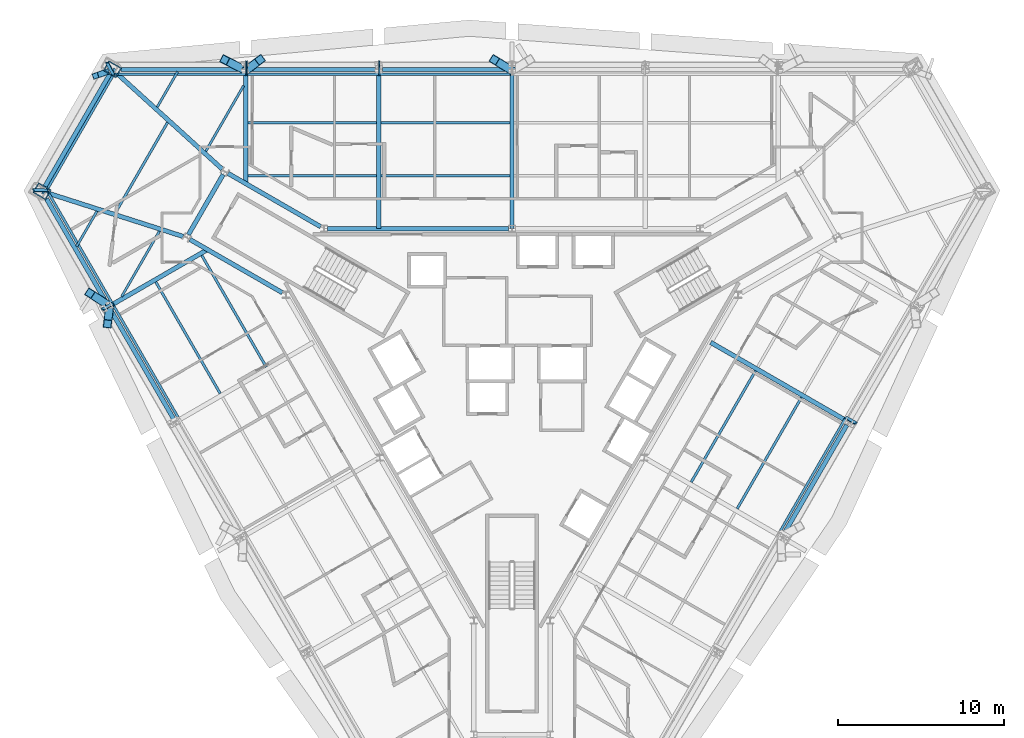
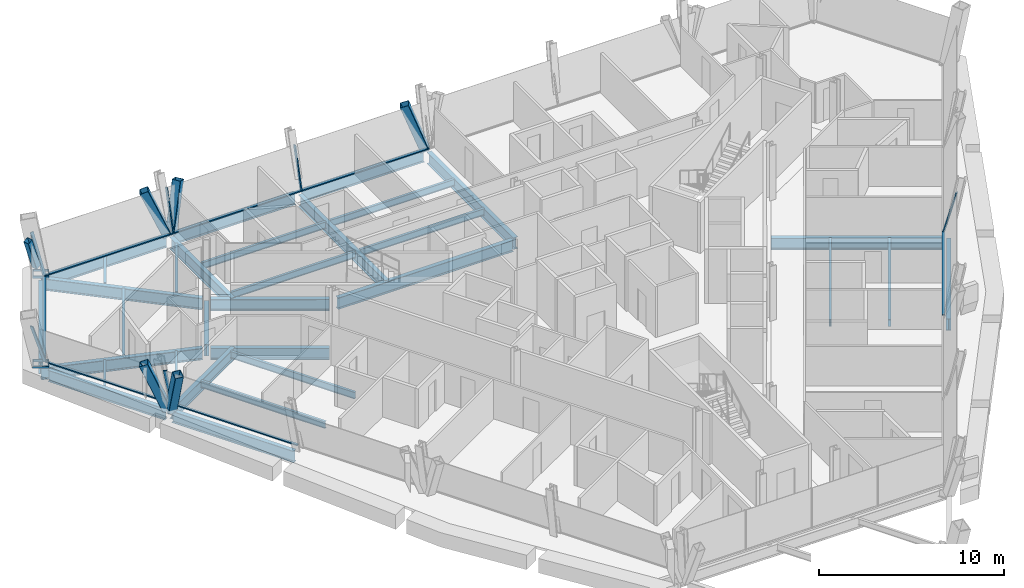
# One storey, part 6 of 15: 31 beams, 21 members, 4 elements without a shape of their own.
"""IFC4 building model written with IfcOpenShell, lengths in metres."""

from ifc_helpers import new_model, si_unit, direction, frame, origin, origin_2d, place, context, subcontext, project, spatial, rectangle, hollow_rectangle, i_section, extrude, material, material_profile, profile_set, type_object, element, aggregate, save


model = new_model("IFC4")

# Units and contexts
model_context = context("Model", 3, precision=1e-05, world=origin(), true_north=direction((0.0, 1.0)))
body_context = subcontext(model_context, "Body", "Model", "MODEL_VIEW")
ifc_project = project(units=[si_unit("LENGTHUNIT", "METRE"), si_unit("AREAUNIT", "SQUARE_METRE"), si_unit("VOLUMEUNIT", "CUBIC_METRE"), si_unit("PLANEANGLEUNIT", "RADIAN"), si_unit("MASSUNIT", "GRAM", prefix="KILO")], contexts=[model_context])

# Site, building, storey
site_placement = place(None, origin())
site = spatial("IfcSite", under=ifc_project, at=site_placement, CompositionType="ELEMENT")
building_placement = place(site_placement, origin())
building = spatial("IfcBuilding", under=site, at=building_placement, Name="Verrane Prism Tower", CompositionType="ELEMENT")
storey_placement = place(building_placement, frame((0.0, 0.0, 118.0)))
storey = spatial("IfcBuildingStorey", under=building, at=storey_placement, Name="L28", CompositionType="ELEMENT", Elevation=118.0)

# Member
ifc_material_1 = material(Name="Steel A500 Grade C", Category="steel")
ifc_material_profile_1 = material_profile(ifc_material_1, hollow_rectangle(XDim=0.355712890625, YDim=0.355712890625, WallThickness=0.0126953125, InnerFilletRadius=0.00634765625, OuterFilletRadius=0.01904296875, at=origin_2d()), Name="HSS14x14x1/2")
ifc_profile_set_1 = profile_set([ifc_material_profile_1], Name="Steel A500 Grade C")
member_type_1 = type_object("IfcMemberType", Name="Chamfer brace HSS14x14x1/2", PredefinedType="BRACE", material=ifc_profile_set_1)
member_1_placement = place(storey_placement, frame((-24.44677734375, 18.631103515625, 0.732666015625), z_axis=(-0.303029669445, -0.104587481994, 0.947224618581), x_axis=(0.326254109702, -0.945282103873, 0.0)))
element("IfcMember", 1, at=member_1_placement, inside=storey, type_object=member_type_1, Name="Chamfer brace NW0 L28", PredefinedType="BRACE", context=body_context, shape_type="SweptSolid", body=[
    extrude(hollow_rectangle(XDim=0.355712890625, YDim=0.355712890625, WallThickness=0.0126953125, InnerFilletRadius=0.00634765625, OuterFilletRadius=0.01904296875, at=origin_2d()), origin(), (0.0, 0.0, 1.0), 2.13818359375),
])

# Beams
ifc_material_2 = material(Name="Steel A992", Category="steel")
ifc_material_profile_2 = material_profile(ifc_material_2, i_section(OverallWidth=0.2666015625, OverallDepth=0.76708984375, WebThickness=0.014892578125, FlangeThickness=0.023681640625, FilletRadius=0.0166015625, at=origin_2d()), Name="W30x124")
ifc_profile_set_2 = profile_set([ifc_material_profile_2], Name="Steel A992")
beam_type_1 = type_object("IfcBeamType", Name="Chamfer spandrel beam W30x124", PredefinedType="SPANDREL", material=ifc_profile_set_2)
beam_1_placement = place(storey_placement, frame((-24.2451171875, 18.48681640625, -0.54345703125), z_axis=(-0.500214307011, -0.865901638214, 0.0), x_axis=(0.865901638214, -0.500214307011, 0.0)))
element("IfcBeam", 2, at=beam_1_placement, inside=storey, type_object=beam_type_1, Name="Chamfer spandrel beam L28", PredefinedType="SPANDREL", context=body_context, shape_type="SweptSolid", body=[
    extrude(i_section(OverallWidth=0.2666015625, OverallDepth=0.76708984375, WebThickness=0.014892578125, FlangeThickness=0.023681640625, FilletRadius=0.0166015625, at=origin_2d()), origin(), (0.0, 0.0, 1.0), 7.7763671875),
])
ifc_material_3 = material(Name="Steel A992", Category="steel")
ifc_material_profile_3 = material_profile(ifc_material_3, i_section(OverallWidth=0.2666015625, OverallDepth=0.7568359375, WebThickness=0.013916015625, FlangeThickness=0.019287109375, FilletRadius=0.0166015625, at=origin_2d()), Name="W30x108")
ifc_profile_set_3 = profile_set([ifc_material_profile_3], Name="Steel A992")
beam_type_2 = type_object("IfcBeamType", Name="Core ring girder W30x108", PredefinedType="BEAM", material=ifc_profile_set_3)
beam_2_placement = place(storey_placement, frame((-0.20068359375, 9.199951171875, -0.62841796875), z_axis=(-1.0, 0.0, 0.0), x_axis=(0.0, -1.0, 0.0)))
element("IfcBeam", 3, at=beam_2_placement, inside=storey, type_object=beam_type_2, Name="Core ring girder L28", PredefinedType="BEAM", context=body_context, shape_type="SweptSolid", body=[
    extrude(i_section(OverallWidth=0.2666015625, OverallDepth=0.7568359375, WebThickness=0.013916015625, FlangeThickness=0.019287109375, FilletRadius=0.0166015625, at=origin_2d()), origin(), (0.0, 0.0, 1.0), 10.9287109375),
])
beam_3_placement = place(storey_placement, frame((-11.53076171875, 9.315673828125, -0.62841796875), z_axis=(-0.866455532004, 0.499254254924, 0.0), x_axis=(-0.499254254924, -0.866455532004, 0.0)))
element("IfcBeam", 4, at=beam_3_placement, inside=storey, type_object=beam_type_2, Name="Core ring girder L28", PredefinedType="BEAM", context=body_context, shape_type="SweptSolid", body=[
    extrude(i_section(OverallWidth=0.2666015625, OverallDepth=0.7568359375, WebThickness=0.013916015625, FlangeThickness=0.019287109375, FilletRadius=0.0166015625, at=origin_2d()), origin(), (0.0, 0.0, 1.0), 6.441162109375),
])
beam_4_placement = place(storey_placement, frame((-17.40283203125, 12.4619140625, -0.62841796875), z_axis=(-0.500367003619, -0.865813410435, 0.0), x_axis=(0.865813410435, -0.500367003619, 0.0)))
element("IfcBeam", 5, at=beam_4_placement, inside=storey, type_object=beam_type_2, Name="Core ring girder L28", PredefinedType="BEAM", context=body_context, shape_type="SweptSolid", body=[
    extrude(i_section(OverallWidth=0.2666015625, OverallDepth=0.7568359375, WebThickness=0.013916015625, FlangeThickness=0.019287109375, FilletRadius=0.0166015625, at=origin_2d()), origin(), (0.0, 0.0, 1.0), 4.185302734375),
])
beam_5_placement = place(storey_placement, frame((-19.411865234375, 8.551513671875, -0.62841796875), z_axis=(0.866455532004, -0.499254254924, 0.0), x_axis=(0.499254254924, 0.866455532004, 0.0)))
element("IfcBeam", 6, at=beam_5_placement, inside=storey, type_object=beam_type_2, Name="Core ring girder L28", PredefinedType="BEAM", context=body_context, shape_type="SweptSolid", body=[
    extrude(i_section(OverallWidth=0.2666015625, OverallDepth=0.7568359375, WebThickness=0.013916015625, FlangeThickness=0.019287109375, FilletRadius=0.0166015625, at=origin_2d()), origin(), (0.0, 0.0, 1.0), 6.441162109375),
])
ifc_material_4 = material(Name="Steel A992", Category="steel")
ifc_material_profile_4 = material_profile(ifc_material_4, i_section(OverallWidth=0.2666015625, OverallDepth=0.76708984375, WebThickness=0.014892578125, FlangeThickness=0.023681640625, FilletRadius=0.0166015625, at=origin_2d()), Name="W30x124")
ifc_profile_set_4 = profile_set([ifc_material_profile_4], Name="Steel A992")
beam_type_3 = type_object("IfcBeamType", Name="Corner girder W30x124", PredefinedType="BEAM", material=ifc_profile_set_4)
beam_6_placement = place(storey_placement, frame((-24.068115234375, 18.788330078125, -0.603515625), z_axis=(0.740172818675, -0.67241668517, 0.0), x_axis=(0.67241668517, 0.740172818675, 0.0)))
element("IfcBeam", 7, at=beam_6_placement, inside=storey, type_object=beam_type_3, Name="Corner girder L28", PredefinedType="BEAM", context=body_context, shape_type="SweptSolid", body=[
    extrude(i_section(OverallWidth=0.2666015625, OverallDepth=0.76708984375, WebThickness=0.014892578125, FlangeThickness=0.023681640625, FilletRadius=0.0166015625, at=origin_2d()), origin(), (0.0, 0.0, 1.0), 8.921630859375),
])
beam_7_placement = place(storey_placement, frame((-28.3056640625, 11.448486328125, -0.603515625), z_axis=(0.952340206189, -0.305037918423, 0.0), x_axis=(0.305037918423, 0.952340206189, 0.0)))
element("IfcBeam", 8, at=beam_7_placement, inside=storey, type_object=beam_type_3, Name="Corner girder L28", PredefinedType="BEAM", context=body_context, shape_type="SweptSolid", body=[
    extrude(i_section(OverallWidth=0.2666015625, OverallDepth=0.76708984375, WebThickness=0.014892578125, FlangeThickness=0.023681640625, FilletRadius=0.0166015625, at=origin_2d()), origin(), (0.0, 0.0, 1.0), 8.919189453125),
])

# Members
ifc_material_5 = material(Name="Steel A1085 Grade A", Category="steel")
ifc_material_profile_5 = material_profile(ifc_material_5, hollow_rectangle(XDim=0.508056640625, YDim=0.508056640625, WallThickness=0.025390625, InnerFilletRadius=0.0126953125, OuterFilletRadius=0.0380859375, at=origin_2d()), Name="HSS20x20x1")
ifc_profile_set_5 = profile_set([ifc_material_profile_5], Name="Steel A1085 Grade A")
member_type_2 = type_object("IfcMemberType", Name="Facade brace HSS20x20x1", PredefinedType="BRACE", material=ifc_profile_set_5)
member_2_placement = place(storey_placement, frame((-0.110107421875, 18.7900390625, -0.197509765625), z_axis=(-0.302056863472, 0.183515537619, 0.935459084451), x_axis=(-0.519234190392, -0.854632000061, 0.0)))
element("IfcMember", 9, at=member_2_placement, inside=storey, type_object=member_type_2, Name="Facade brace N3 L28", PredefinedType="BRACE", context=body_context, shape_type="SweptSolid", body=[
    extrude(hollow_rectangle(XDim=0.508056640625, YDim=0.508056640625, WallThickness=0.025390625, InnerFilletRadius=0.0126953125, OuterFilletRadius=0.0380859375, at=origin_2d()), origin(), (0.0, 0.0, 1.0), 3.16748046875),
])
member_3_placement = place(storey_placement, frame((-15.951416015625, 18.7900390625, -0.197509765625), z_axis=(0.247465977731, 0.186519940797, 0.950773843535), x_axis=(-0.601899306778, 0.798571990807, 0.0)))
element("IfcMember", 10, at=member_3_placement, inside=storey, type_object=member_type_2, Name="Facade brace N4 L28", PredefinedType="BRACE", context=body_context, shape_type="SweptSolid", body=[
    extrude(hollow_rectangle(XDim=0.508056640625, YDim=0.508056640625, WallThickness=0.025390625, InnerFilletRadius=0.0126953125, OuterFilletRadius=0.0380859375, at=origin_2d()), origin(), (0.0, 0.0, 1.0), 3.116455078125),
])
member_4_placement = place(storey_placement, frame((-16.17138671875, 18.7900390625, -0.197509765625), z_axis=(-0.353566984918, 0.180073367078, 0.917912833359), x_axis=(-0.453834408523, -0.891086039415, 0.0)))
element("IfcMember", 11, at=member_4_placement, inside=storey, type_object=member_type_2, Name="Facade brace N5 L28", PredefinedType="BRACE", context=body_context, shape_type="SweptSolid", body=[
    extrude(hollow_rectangle(XDim=0.508056640625, YDim=0.508056640625, WallThickness=0.025390625, InnerFilletRadius=0.0126953125, OuterFilletRadius=0.0380859375, at=origin_2d()), origin(), (0.0, 0.0, 1.0), 3.22802734375),
])
member_5_placement = place(storey_placement, frame((-24.365478515625, 4.61328125, -0.197509765625), z_axis=(-0.332338228681, 0.215607546492, 0.918185540974), x_axis=(-0.544256493754, -0.838918869144, 0.0)))
element("IfcMember", 12, at=member_5_placement, inside=storey, type_object=member_type_2, Name="Facade brace SW0 L28", PredefinedType="BRACE", context=body_context, shape_type="SweptSolid", body=[
    extrude(hollow_rectangle(XDim=0.508056640625, YDim=0.508056640625, WallThickness=0.025390625, InnerFilletRadius=0.0126953125, OuterFilletRadius=0.0380859375, at=origin_2d()), origin(), (0.0, 0.0, 1.0), 3.22705078125),
])
member_6_placement = place(storey_placement, frame((-24.25537109375, 4.4228515625, -0.197509765625), z_axis=(-0.037356694679, -0.308408099886, 0.950520342385), x_axis=(0.992743816688, -0.120248552707, 0.0)))
element("IfcMember", 13, at=member_6_placement, inside=storey, type_object=member_type_2, Name="Facade brace SW1 L28", PredefinedType="BRACE", context=body_context, shape_type="SweptSolid", body=[
    extrude(hollow_rectangle(XDim=0.508056640625, YDim=0.508056640625, WallThickness=0.025390625, InnerFilletRadius=0.0126953125, OuterFilletRadius=0.0380859375, at=origin_2d()), origin(), (0.0, 0.0, 1.0), 3.117431640625),
])

# Beams
ifc_material_6 = material(Name="Steel A992", Category="steel")
ifc_material_profile_6 = material_profile(ifc_material_6, i_section(OverallWidth=0.140380859375, OverallDepth=0.40380859375, WebThickness=0.007080078125, FlangeThickness=0.01123046875, FilletRadius=0.01025390625, at=origin_2d()), Name="W16x31")
ifc_profile_set_6 = profile_set([ifc_material_profile_6], Name="Steel A992")
beam_type_4 = type_object("IfcBeamType", Name="Floor beam W16x31", PredefinedType="BEAM", material=ifc_profile_set_6)
beam_8_placement = place(storey_placement, frame((-18.4501953125, 13.864990234375, -0.36181640625), z_axis=(0.500008678503, 0.86602039319, 0.0), x_axis=(-0.86602039319, 0.500008678503, 0.0)))
element("IfcBeam", 14, at=beam_8_placement, inside=storey, type_object=beam_type_4, Name="Floor beam L28", PredefinedType="BEAM", context=body_context, shape_type="SweptSolid", body=[
    extrude(i_section(OverallWidth=0.140380859375, OverallDepth=0.40380859375, WebThickness=0.007080078125, FlangeThickness=0.01123046875, FilletRadius=0.01025390625, at=origin_2d()), origin(), (0.0, 0.0, 1.0), 4.55322265625),
])
beam_9_placement = place(storey_placement, frame((-21.37744140625, 16.5244140625, -0.36181640625), z_axis=(0.500000007376, 0.866025399526, 0.0), x_axis=(-0.866025399526, 0.500000007376, 0.0)))
element("IfcBeam", 15, at=beam_9_placement, inside=storey, type_object=beam_type_4, Name="Floor beam L28", PredefinedType="BEAM", context=body_context, shape_type="SweptSolid", body=[
    extrude(i_section(OverallWidth=0.140380859375, OverallDepth=0.40380859375, WebThickness=0.007080078125, FlangeThickness=0.01123046875, FilletRadius=0.01025390625, at=origin_2d()), origin(), (0.0, 0.0, 1.0), 2.4619140625),
])
beam_10_placement = place(storey_placement, frame((-23.5205078125, 5.104736328125, -0.36181640625), z_axis=(0.500004125498, 0.866023021914, 0.0), x_axis=(-0.866023021914, 0.500004125498, 0.0)))
element("IfcBeam", 16, at=beam_10_placement, inside=storey, type_object=beam_type_4, Name="Floor beam L28", PredefinedType="BEAM", context=body_context, shape_type="SweptSolid", body=[
    extrude(i_section(OverallWidth=0.140380859375, OverallDepth=0.40380859375, WebThickness=0.007080078125, FlangeThickness=0.01123046875, FilletRadius=0.01025390625, at=origin_2d()), origin(), (0.0, 0.0, 1.0), 4.5517578125),
])
beam_11_placement = place(storey_placement, frame((-26.23583984375, 8.122314453125, -0.36181640625), z_axis=(0.500026134388, 0.866010314562, 0.0), x_axis=(-0.866010314562, 0.500026134388, 0.0)))
element("IfcBeam", 17, at=beam_11_placement, inside=storey, type_object=beam_type_4, Name="Floor beam L28", PredefinedType="BEAM", context=body_context, shape_type="SweptSolid", body=[
    extrude(i_section(OverallWidth=0.140380859375, OverallDepth=0.40380859375, WebThickness=0.007080078125, FlangeThickness=0.01123046875, FilletRadius=0.01025390625, at=origin_2d()), origin(), (0.0, 0.0, 1.0), 2.458740234375),
])
ifc_material_7 = material(Name="Steel A992", Category="steel")
ifc_material_profile_7 = material_profile(ifc_material_7, i_section(OverallWidth=0.15234375, OverallDepth=0.449462890625, WebThickness=0.007568359375, FlangeThickness=0.0107421875, FilletRadius=0.01025390625, at=origin_2d()), Name="W18x35")
ifc_profile_set_7 = profile_set([ifc_material_profile_7], Name="Steel A992")
beam_type_5 = type_object("IfcBeamType", Name="Floor beam W18x35", PredefinedType="BEAM", material=ifc_profile_set_7)
for number, where, z_axis, x_axis, name in (
    (18, (-7.886474609375, 12.396728515625, -0.384765625), (1.0, 0.0, 0.0), (0.0, 1.0, 0.0), "Floor beam L28"),
    (19, (-7.886474609375, 15.59326171875, -0.384765625), (1.0, 0.0, 0.0), (0.0, 1.0, 0.0), "Floor beam L28"),
    (20, (-15.906494140625, 12.396728515625, -0.384765625), (1.0, 0.0, 0.0), (0.0, 1.0, 0.0), "Floor beam L28"),
    (21, (-15.906494140625, 15.59326171875, -0.384765625), (1.0, 0.0, 0.0), (0.0, 1.0, 0.0), "Floor beam L28"),
):
    element("IfcBeam", number, at=place(storey_placement, frame(where, z_axis=z_axis, x_axis=x_axis)), inside=storey, type_object=beam_type_5, Name=name, PredefinedType="BEAM", context=body_context, shape_type="SweptSolid", body=[
        extrude(i_section(OverallWidth=0.15234375, OverallDepth=0.449462890625, WebThickness=0.007568359375, FlangeThickness=0.0107421875, FilletRadius=0.01025390625, at=origin_2d()), origin(), (0.0, 0.0, 1.0), 7.7529296875),
    ])
beam_12_placement = place(storey_placement, frame((-14.80859375, 0.864501953125, -0.384765625), z_axis=(-0.500014594887, 0.866016977259, 0.0), x_axis=(-0.866016977259, -0.500014594887, 0.0)))
element("IfcBeam", 22, at=beam_12_placement, inside=storey, type_object=beam_type_5, Name="Floor beam L28", PredefinedType="BEAM", context=body_context, shape_type="SweptSolid", body=[
    extrude(i_section(OverallWidth=0.15234375, OverallDepth=0.449462890625, WebThickness=0.007568359375, FlangeThickness=0.0107421875, FilletRadius=0.01025390625, at=origin_2d()), origin(), (0.0, 0.0, 1.0), 7.764404296875),
])
beam_13_placement = place(storey_placement, frame((-17.58056640625, -0.736572265625, -0.384765625), z_axis=(-0.499974721637, 0.866039997762, 0.0), x_axis=(-0.866039997762, -0.499974721637, 0.0)))
element("IfcBeam", 23, at=beam_13_placement, inside=storey, type_object=beam_type_5, Name="Floor beam L28", PredefinedType="BEAM", context=body_context, shape_type="SweptSolid", body=[
    extrude(i_section(OverallWidth=0.15234375, OverallDepth=0.449462890625, WebThickness=0.007568359375, FlangeThickness=0.0107421875, FilletRadius=0.01025390625, at=origin_2d()), origin(), (0.0, 0.0, 1.0), 7.76318359375),
])
beam_14_placement = place(storey_placement, frame((13.568603515625, -7.6767578125, -0.384765625), z_axis=(0.499981532947, 0.86603606548, 0.0), x_axis=(-0.86603606548, 0.499981532947, 0.0)))
element("IfcBeam", 24, at=beam_14_placement, inside=storey, type_object=beam_type_5, Name="Floor beam L28", PredefinedType="BEAM", context=body_context, shape_type="SweptSolid", body=[
    extrude(i_section(OverallWidth=0.15234375, OverallDepth=0.449462890625, WebThickness=0.007568359375, FlangeThickness=0.0107421875, FilletRadius=0.01025390625, at=origin_2d()), origin(), (0.0, 0.0, 1.0), 7.749267578125),
])
beam_15_placement = place(storey_placement, frame((10.7978515625, -6.077880859375, -0.384765625), z_axis=(0.499984211786, 0.866034518922, 0.0), x_axis=(-0.866034518922, 0.499984211786, 0.0)))
element("IfcBeam", 25, at=beam_15_placement, inside=storey, type_object=beam_type_5, Name="Floor beam L28", PredefinedType="BEAM", context=body_context, shape_type="SweptSolid", body=[
    extrude(i_section(OverallWidth=0.15234375, OverallDepth=0.449462890625, WebThickness=0.007568359375, FlangeThickness=0.0107421875, FilletRadius=0.01025390625, at=origin_2d()), origin(), (0.0, 0.0, 1.0), 7.750732421875),
])
beam_16_placement = place(storey_placement, frame((-23.8857421875, 10.173095703125, -0.384765625), z_axis=(0.50001262068, 0.866018117109, 0.0), x_axis=(-0.866018117109, 0.50001262068, 0.0)))
element("IfcBeam", 26, at=beam_16_placement, inside=storey, type_object=beam_type_5, Name="Floor beam L28", PredefinedType="BEAM", context=body_context, shape_type="SweptSolid", body=[
    extrude(i_section(OverallWidth=0.15234375, OverallDepth=0.449462890625, WebThickness=0.007568359375, FlangeThickness=0.0107421875, FilletRadius=0.01025390625, at=origin_2d()), origin(), (0.0, 0.0, 1.0), 6.263427734375),
])

# Members
ifc_material_8 = material(Name="Steel A572 Grade 50", Category="steel")
ifc_material_profile_8 = material_profile(ifc_material_8, hollow_rectangle(XDim=0.699951171875, YDim=0.89990234375, WallThickness=0.06494140625, at=origin_2d()), Name="BOX 900x700x65")
ifc_profile_set_8 = profile_set([ifc_material_profile_8], Name="Steel A572 Grade 50")
member_type_3 = type_object("IfcMemberType", Name="Kink node BOX 900x700x65", PredefinedType="COLLAR", material=ifc_profile_set_8)
for number, where, z_axis, x_axis, name in (
    (27, (-24.07421875, 18.79736328125, -0.074951171875), (0.0, 0.0, 1.0), (0.5, 0.866025403784, 0.0), "Kink node MC3 L28"),
    (28, (-28.318359375, 11.449951171875, -0.074951171875), (0.0, 0.0, 1.0), (0.5, 0.866025403784, 0.0), "Kink node MC3 L28"),
):
    element("IfcMember", number, at=place(storey_placement, frame(where, z_axis=z_axis, x_axis=x_axis)), inside=storey, type_object=member_type_3, Name=name, PredefinedType="COLLAR", context=body_context, shape_type="SweptSolid", body=[
        extrude(hollow_rectangle(XDim=0.699951171875, YDim=0.89990234375, WallThickness=0.06494140625, at=origin_2d()), origin(), (0.0, 0.0, 1.0), 0.14990234375),
    ])

# Curtain wall, members
ifc_material_9 = material(Name="Aluminium framed insulated glazing", Category="aluminium")
curtain_wall_type = type_object("IfcCurtainWallType", Name="Curtain wall CW-A 8400 module", PredefinedType="NOTDEFINED", material=ifc_material_9)
curtain_wall_1_placement = place(storey_placement, origin())
curtain_wall_1 = element("IfcCurtainWall", 29, at=curtain_wall_1_placement, inside=storey, type_object=curtain_wall_type, Name="Glazed curtain wall north face L28", PredefinedType="NOTDEFINED")
ifc_material_10 = material(Name="Aluminium alloy 6063-T6", Category="aluminium")
ifc_material_profile_9 = material_profile(ifc_material_10, rectangle(XDim=0.199951171875, YDim=0.070068359375, at=origin_2d()), Name="Mullion 70x200 aluminium")
ifc_profile_set_9 = profile_set([ifc_material_profile_9], Name="Aluminium alloy 6063-T6")
member_type_4 = type_object("IfcMemberType", Name="Mullion 70x200 aluminium", PredefinedType="MULLION", material=ifc_profile_set_9)
member_7_placement = place(storey_placement, frame((-7.998046875, 18.510986328125, 0.0), z_axis=(0.0, 0.25876916976, 0.965939188967), x_axis=(0.0, 0.965939188967, -0.25876916976)))
member_7 = element("IfcMember", 30, at=member_7_placement, type_object=member_type_4, Name="CW27.2 mullion 5", PredefinedType="MULLION", context=body_context, shape_type="SweptSolid", body=[
    extrude(rectangle(XDim=0.199951171875, YDim=0.070068359375, at=origin_2d()), origin(), (0.0, 0.0, 1.0), 2.704833984375),
])
member_8_placement = place(storey_placement, frame((-15.99609375, 18.510986328125, 0.0), z_axis=(0.0, 0.25876916976, 0.965939188967), x_axis=(0.0, 0.965939188967, -0.25876916976)))
member_8 = element("IfcMember", 31, at=member_8_placement, type_object=member_type_4, Name="CW27.2 mullion 6", PredefinedType="MULLION", context=body_context, shape_type="SweptSolid", body=[
    extrude(rectangle(XDim=0.199951171875, YDim=0.070068359375, at=origin_2d()), origin(), (0.0, 0.0, 1.0), 2.704833984375),
])

# Curtain wall, member
curtain_wall_2_placement = place(storey_placement, origin())
curtain_wall_2 = element("IfcCurtainWall", 32, at=curtain_wall_2_placement, inside=storey, type_object=curtain_wall_type, Name="Glazed curtain wall north-west corner L28", PredefinedType="NOTDEFINED")
member_9_placement = place(storey_placement, frame((-24.01171875, 18.480712890625, 0.0), z_axis=(-0.141208004403, 0.266468858782, 0.953443572946), x_axis=(-0.988441688858, 0.015718814344, -0.150784437539)))
member_9 = element("IfcMember", 33, at=member_9_placement, type_object=member_type_4, Name="CW27.3 mullion 1", PredefinedType="MULLION", context=body_context, shape_type="SweptSolid", body=[
    extrude(rectangle(XDim=0.199951171875, YDim=0.070068359375, at=origin_2d()), origin(), (0.0, 0.0, 1.0), 2.740478515625),
])

# Curtain wall, members
curtain_wall_3_placement = place(storey_placement, origin())
curtain_wall_3 = element("IfcCurtainWall", 34, at=curtain_wall_3_placement, inside=storey, type_object=curtain_wall_type, Name="Glazed curtain wall south-west face L28", PredefinedType="NOTDEFINED")
member_10_placement = place(storey_placement, frame((-28.010498046875, 11.49365234375, 0.0), z_axis=(-0.301389524512, 0.01122526754, 0.953435025517), x_axis=(0.444153298964, -0.883169030543, 0.150798907517)))
member_10 = element("IfcMember", 35, at=member_10_placement, type_object=member_type_4, Name="CW27.4 mullion 1", PredefinedType="MULLION", context=body_context, shape_type="SweptSolid", body=[
    extrude(rectangle(XDim=0.199951171875, YDim=0.070068359375, at=origin_2d()), origin(), (0.0, 0.0, 1.0), 2.740478515625),
])
member_11_placement = place(storey_placement, frame((-24.07177734375, 4.671630859375, 0.0), z_axis=(-0.224108381383, -0.129428682603, 0.965931493178), x_axis=(0.8513401511, -0.508405286156, 0.129398655843)))
member_11 = element("IfcMember", 36, at=member_11_placement, type_object=member_type_4, Name="CW27.4 mullion 2", PredefinedType="MULLION", context=body_context, shape_type="SweptSolid", body=[
    extrude(rectangle(XDim=0.199951171875, YDim=0.070068359375, at=origin_2d()), origin(), (0.0, 0.0, 1.0), 2.704833984375),
])

# Curtain wall, member
curtain_wall_4_placement = place(storey_placement, origin())
curtain_wall_4 = element("IfcCurtainWall", 37, at=curtain_wall_4_placement, inside=storey, type_object=curtain_wall_type, Name="Glazed curtain wall south-east face L28", PredefinedType="NOTDEFINED")
member_12_placement = place(storey_placement, frame((20.115478515625, -2.1806640625, 0.0), z_axis=(0.224194102759, -0.129426064153, 0.96591195158), x_axis=(-0.851243028132, -0.508558607378, 0.129435118566)))
member_12 = element("IfcMember", 38, at=member_12_placement, type_object=member_type_4, Name="CW27.6 mullion 4", PredefinedType="MULLION", context=body_context, shape_type="SweptSolid", body=[
    extrude(rectangle(XDim=0.199951171875, YDim=0.070068359375, at=origin_2d()), origin(), (0.0, 0.0, 1.0), 2.705078125),
])

# Beams
ifc_material_11 = material(Name="Steel A992", Category="steel")
ifc_material_profile_10 = material_profile(ifc_material_11, i_section(OverallWidth=0.2666015625, OverallDepth=0.76708984375, WebThickness=0.014892578125, FlangeThickness=0.023681640625, FilletRadius=0.0166015625, at=origin_2d()), Name="W30x124")
ifc_profile_set_10 = profile_set([ifc_material_profile_10], Name="Steel A992")
beam_type_6 = type_object("IfcBeamType", Name="Radial girder W30x124", PredefinedType="BEAM", material=ifc_profile_set_10)
for number, where, z_axis, x_axis, name in (
    (39, (0.0, 18.552490234375, -0.603515625), (0.0, -1.0, 0.0), (1.0, 0.0, 0.0), "Radial girder L28"),
    (40, (-8.02001953125, 18.552490234375, -0.603515625), (0.0, -1.0, 0.0), (1.0, 0.0, 0.0), "Radial girder L28"),
):
    element("IfcBeam", number, at=place(storey_placement, frame(where, z_axis=z_axis, x_axis=x_axis)), inside=storey, type_object=beam_type_6, Name=name, PredefinedType="BEAM", context=body_context, shape_type="SweptSolid", body=[
        extrude(i_section(OverallWidth=0.2666015625, OverallDepth=0.76708984375, WebThickness=0.014892578125, FlangeThickness=0.023681640625, FilletRadius=0.0166015625, at=origin_2d()), origin(), (0.0, 0.0, 1.0), 9.3525390625),
    ])
beam_17_placement = place(storey_placement, frame((-16.0400390625, 18.552490234375, -0.603515625), z_axis=(0.0, -1.0, 0.0), x_axis=(1.0, 0.0, 0.0)))
element("IfcBeam", 41, at=beam_17_placement, inside=storey, type_object=beam_type_6, Name="Radial girder L28", PredefinedType="BEAM", context=body_context, shape_type="SweptSolid", body=[
    extrude(i_section(OverallWidth=0.2666015625, OverallDepth=0.76708984375, WebThickness=0.014892578125, FlangeThickness=0.023681640625, FilletRadius=0.0166015625, at=origin_2d()), origin(), (0.0, 0.0, 1.0), 6.638427734375),
])
beam_18_placement = place(storey_placement, frame((-24.09423828125, 4.61865234375, -0.603515625), z_axis=(0.866011622103, 0.500023869813, 0.0), x_axis=(-0.500023869813, 0.866011622103, 0.0)))
element("IfcBeam", 42, at=beam_18_placement, inside=storey, type_object=beam_type_6, Name="Radial girder L28", PredefinedType="BEAM", context=body_context, shape_type="SweptSolid", body=[
    extrude(i_section(OverallWidth=0.2666015625, OverallDepth=0.76708984375, WebThickness=0.014892578125, FlangeThickness=0.023681640625, FilletRadius=0.0166015625, at=origin_2d()), origin(), (0.0, 0.0, 1.0), 6.637451171875),
])
beam_19_placement = place(storey_placement, frame((20.07421875, -2.331298828125, -0.603515625), z_axis=(-0.866026073768, 0.499998839552, 0.0), x_axis=(-0.499998839552, -0.866026073768, 0.0)))
element("IfcBeam", 43, at=beam_19_placement, inside=storey, type_object=beam_type_6, Name="Radial girder L28", PredefinedType="BEAM", context=body_context, shape_type="SweptSolid", body=[
    extrude(i_section(OverallWidth=0.2666015625, OverallDepth=0.76708984375, WebThickness=0.014892578125, FlangeThickness=0.023681640625, FilletRadius=0.0166015625, at=origin_2d()), origin(), (0.0, 0.0, 1.0), 9.35400390625),
])
ifc_material_12 = material(Name="Steel A992", Category="steel")
ifc_material_profile_11 = material_profile(ifc_material_12, i_section(OverallWidth=0.2666015625, OverallDepth=0.7568359375, WebThickness=0.013916015625, FlangeThickness=0.019287109375, FilletRadius=0.0166015625, at=origin_2d()), Name="W30x108")
ifc_profile_set_11 = profile_set([ifc_material_profile_11], Name="Steel A992")
beam_type_7 = type_object("IfcBeamType", Name="Spandrel beam W30x108", PredefinedType="SPANDREL", material=ifc_profile_set_11)
for number, where, z_axis, x_axis, name in (
    (44, (-0.212158203125, 18.7900390625, -0.53857421875), (-1.0, 0.0, 0.0), (0.0, -1.0, 0.0), "Spandrel beam L28"),
    (45, (-8.232177734375, 18.7900390625, -0.53857421875), (-1.0, 0.0, 0.0), (0.0, -1.0, 0.0), "Spandrel beam L28"),
):
    element("IfcBeam", number, at=place(storey_placement, frame(where, z_axis=z_axis, x_axis=x_axis)), inside=storey, type_object=beam_type_7, Name=name, PredefinedType="SPANDREL", context=body_context, shape_type="SweptSolid", body=[
        extrude(i_section(OverallWidth=0.2666015625, OverallDepth=0.7568359375, WebThickness=0.013916015625, FlangeThickness=0.019287109375, FilletRadius=0.0166015625, at=origin_2d()), origin(), (0.0, 0.0, 1.0), 7.595703125),
    ])
beam_20_placement = place(storey_placement, frame((-16.252197265625, 18.7900390625, -0.53857421875), z_axis=(-1.0, 0.0, 0.0), x_axis=(0.0, -1.0, 0.0)))
element("IfcBeam", 46, at=beam_20_placement, inside=storey, type_object=beam_type_7, Name="Spandrel beam L28", PredefinedType="SPANDREL", context=body_context, shape_type="SweptSolid", body=[
    extrude(i_section(OverallWidth=0.2666015625, OverallDepth=0.7568359375, WebThickness=0.013916015625, FlangeThickness=0.019287109375, FilletRadius=0.0166015625, at=origin_2d()), origin(), (0.0, 0.0, 1.0), 7.298095703125),
])
beam_21_placement = place(storey_placement, frame((-28.05029296875, 11.0, -0.53857421875), z_axis=(0.499743707602, -0.866173323713, 0.0), x_axis=(0.866173323713, 0.499743707602, 0.0)))
element("IfcBeam", 47, at=beam_21_placement, inside=storey, type_object=beam_type_7, Name="Spandrel beam L28", PredefinedType="SPANDREL", context=body_context, shape_type="SweptSolid", body=[
    extrude(i_section(OverallWidth=0.2666015625, OverallDepth=0.7568359375, WebThickness=0.013916015625, FlangeThickness=0.019287109375, FilletRadius=0.0166015625, at=origin_2d()), origin(), (0.0, 0.0, 1.0), 7.292236328125),
])
beam_22_placement = place(storey_placement, frame((-24.19384765625, 4.31640625, -0.53857421875), z_axis=(0.500695808248, -0.865623305834, 0.0), x_axis=(0.865623305834, 0.500695808248, 0.0)))
element("IfcBeam", 48, at=beam_22_placement, inside=storey, type_object=beam_type_7, Name="Spandrel beam L28", PredefinedType="SPANDREL", context=body_context, shape_type="SweptSolid", body=[
    extrude(i_section(OverallWidth=0.2666015625, OverallDepth=0.7568359375, WebThickness=0.013916015625, FlangeThickness=0.019287109375, FilletRadius=0.0166015625, at=origin_2d()), origin(), (0.0, 0.0, 1.0), 7.604736328125),
])
beam_23_placement = place(storey_placement, frame((16.376220703125, -9.206298828125, -0.53857421875), z_axis=(0.500279205376, 0.865864144464, 0.0), x_axis=(-0.865864144464, 0.500279205376, 0.0)))
element("IfcBeam", 49, at=beam_23_placement, inside=storey, type_object=beam_type_7, Name="Spandrel beam L28", PredefinedType="SPANDREL", context=body_context, shape_type="SweptSolid", body=[
    extrude(i_section(OverallWidth=0.2666015625, OverallDepth=0.7568359375, WebThickness=0.013916015625, FlangeThickness=0.019287109375, FilletRadius=0.0166015625, at=origin_2d()), origin(), (0.0, 0.0, 1.0), 7.591064453125),
])

# Member
ifc_material_13 = material(Name="Aluminium alloy 6063-T6", Category="aluminium")
ifc_material_profile_12 = material_profile(ifc_material_13, rectangle(XDim=0.14990234375, YDim=0.070068359375, at=origin_2d()), Name="Transom 70x150 aluminium")
ifc_profile_set_12 = profile_set([ifc_material_profile_12], Name="Aluminium alloy 6063-T6")
member_type_5 = type_object("IfcMemberType", Name="Transom 70x150 aluminium", PredefinedType="USERDEFINED", material=ifc_profile_set_12)
member_13_placement = place(storey_placement, frame((-0.034912109375, 18.510986328125, 0.034912109375), z_axis=(-1.0, 0.0, 0.0), x_axis=(0.0, -1.0, 0.0)))
member_13 = element("IfcMember", 50, at=member_13_placement, type_object=member_type_5, Name="CW27.2 transom 4", ObjectType="TRANSOM", PredefinedType="USERDEFINED", context=body_context, shape_type="SweptSolid", body=[
    extrude(rectangle(XDim=0.14990234375, YDim=0.070068359375, at=origin_2d()), origin(), (0.0, 0.0, 1.0), 7.92822265625),
])

member_14_placement = place(storey_placement, frame((-8.032958984375, 18.510986328125, 0.034912109375), z_axis=(-1.0, 0.0, 0.0), x_axis=(0.0, -1.0, 0.0)))
member_14 = element("IfcMember", 51, at=member_14_placement, type_object=member_type_5, Name="CW27.2 transom 5", ObjectType="TRANSOM", PredefinedType="USERDEFINED", context=body_context, shape_type="SweptSolid", body=[
    extrude(rectangle(XDim=0.14990234375, YDim=0.070068359375, at=origin_2d()), origin(), (0.0, 0.0, 1.0), 7.92822265625),
])

member_15_placement = place(storey_placement, frame((-16.031005859375, 18.510986328125, 0.034912109375), z_axis=(-1.0, 0.0, 0.0), x_axis=(0.0, -1.0, 0.0)))
member_15 = element("IfcMember", 52, at=member_15_placement, type_object=member_type_5, Name="CW27.2 transom 6", ObjectType="TRANSOM", PredefinedType="USERDEFINED", context=body_context, shape_type="SweptSolid", body=[
    extrude(rectangle(XDim=0.14990234375, YDim=0.070068359375, at=origin_2d()), origin(), (0.0, 0.0, 1.0), 7.963134765625),
])

aggregate(curtain_wall_1, [member_7, member_8, member_13, member_14, member_15])

member_16_placement = place(storey_placement, frame((-24.029052734375, 18.450439453125, 0.034912109375), z_axis=(-0.499999897272, -0.866025463095, 0.0), x_axis=(0.866025463095, -0.499999897272, 0.0)))
member_16 = element("IfcMember", 53, at=member_16_placement, type_object=member_type_5, Name="CW27.3 transom 1", ObjectType="TRANSOM", PredefinedType="USERDEFINED", context=body_context, shape_type="SweptSolid", body=[
    extrude(rectangle(XDim=0.14990234375, YDim=0.070068359375, at=origin_2d()), origin(), (0.0, 0.0, 1.0), 7.998046875),
])

aggregate(curtain_wall_2, [member_9, member_16])

member_17_placement = place(storey_placement, frame((-27.992919921875, 11.46337890625, 0.034912109375), z_axis=(0.499983214589, -0.866035094629, 0.0), x_axis=(0.866035094629, 0.499983214589, 0.0)))
member_17 = element("IfcMember", 54, at=member_17_placement, type_object=member_type_5, Name="CW27.4 transom 1", ObjectType="TRANSOM", PredefinedType="USERDEFINED", context=body_context, shape_type="SweptSolid", body=[
    extrude(rectangle(XDim=0.14990234375, YDim=0.070068359375, at=origin_2d()), origin(), (0.0, 0.0, 1.0), 7.807373046875),
])

member_18_placement = place(storey_placement, frame((-24.05419921875, 4.641357421875, 0.034912109375), z_axis=(0.499992828865, -0.866029544001, 0.0), x_axis=(0.866029544001, 0.499992828865, 0.0)))
member_18 = element("IfcMember", 55, at=member_18_placement, type_object=member_type_5, Name="CW27.4 transom 2", ObjectType="TRANSOM", PredefinedType="USERDEFINED", context=body_context, shape_type="SweptSolid", body=[
    extrude(rectangle(XDim=0.14990234375, YDim=0.070068359375, at=origin_2d()), origin(), (0.0, 0.0, 1.0), 7.84228515625),
])

aggregate(curtain_wall_3, [member_10, member_11, member_17, member_18])

member_19_placement = place(storey_placement, frame((16.177001953125, -9.002685546875, 0.034912109375), z_axis=(0.499992828865, 0.866029544001, 0.0), x_axis=(-0.866029544001, 0.499992828865, 0.0)))
member_19 = element("IfcMember", 56, at=member_19_placement, type_object=member_type_5, Name="CW27.6 transom 3", ObjectType="TRANSOM", PredefinedType="USERDEFINED", context=body_context, shape_type="SweptSolid", body=[
    extrude(rectangle(XDim=0.14990234375, YDim=0.070068359375, at=origin_2d()), origin(), (0.0, 0.0, 1.0), 7.84228515625),
])

aggregate(curtain_wall_4, [member_12, member_19])

save(model, "model.ifc")
